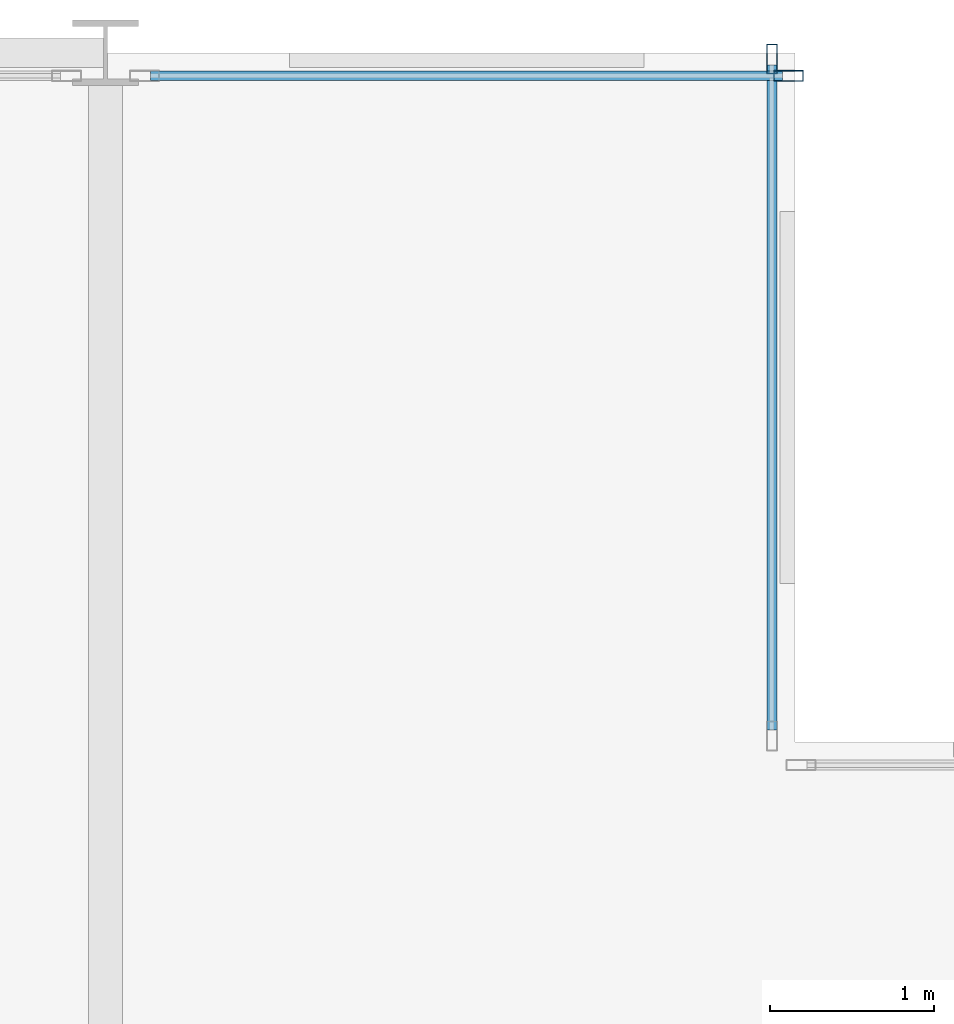
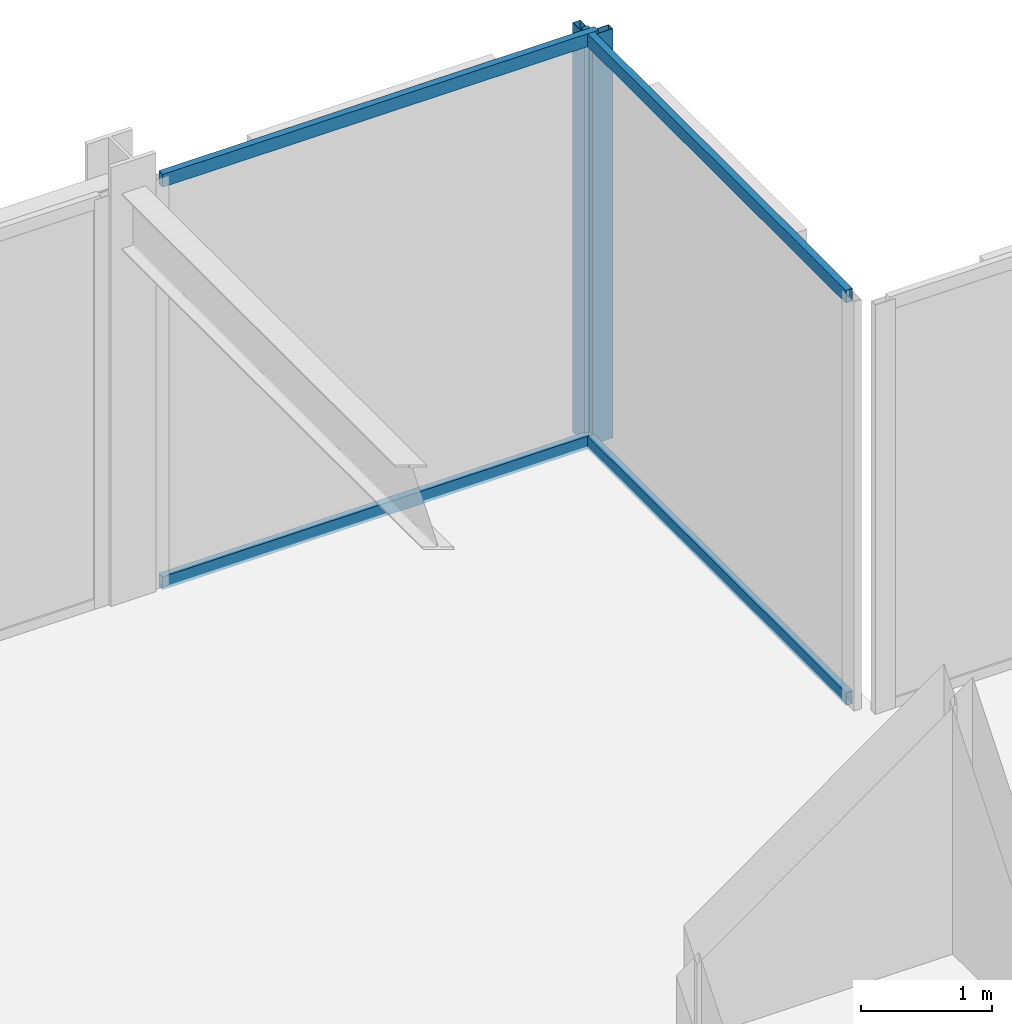
# One storey, part 30 of 38: 6 members, 2 elements without a shape of their own.
"""IFC4 building model written with IfcOpenShell, lengths in metres."""

from ifc_helpers import new_model, si_unit, direction, frame, origin, origin_2d, place, context, subcontext, project, spatial, hollow_rectangle, extrude, material, layer, layer_set, material_profile, profile_set, type_object, element, aggregate, save


model = new_model("IFC4")

# Units and contexts
model_context = context("Model", 3, precision=1e-05, world=origin(), true_north=direction((0.0, 1.0)))
body_context = subcontext(model_context, "Body", "Model", "MODEL_VIEW")
ifc_project = project(units=[si_unit("LENGTHUNIT", "METRE"), si_unit("AREAUNIT", "SQUARE_METRE"), si_unit("VOLUMEUNIT", "CUBIC_METRE"), si_unit("PLANEANGLEUNIT", "RADIAN"), si_unit("MASSUNIT", "GRAM", prefix="KILO")], contexts=[model_context])

# Site, building, storey
site_placement = place(None, origin())
site = spatial("IfcSite", under=ifc_project, at=site_placement, CompositionType="ELEMENT")
building_placement = place(site_placement, origin())
building = spatial("IfcBuilding", under=site, at=building_placement, Name="Nerrivon Quay Data Exchange", CompositionType="ELEMENT")
storey_placement = place(building_placement, frame((0.0, 0.0, 100.800048828125)))
storey = spatial("IfcBuildingStorey", under=building, at=storey_placement, Name="L23", CompositionType="ELEMENT", Elevation=100.800048828125)

# Curtain wall, member
ifc_material = material(Name="Anodised aluminium 6063-T6", Category="aluminium")
ifc_layer = layer(ifc_material, 0.2099609375)
ifc_layer_set = layer_set([ifc_layer], Name="Anodised aluminium 6063-T6")
curtain_wall_type = type_object("IfcCurtainWallType", Name="CW-SYS-02", PredefinedType="NOTDEFINED", material=ifc_layer_set)
curtain_wall_1_placement = place(storey_placement, origin())
curtain_wall_1 = element("IfcCurtainWall", 1, at=curtain_wall_1_placement, inside=storey, type_object=curtain_wall_type, Name="L23 Unitised Curtain Wall 26", PredefinedType="NOTDEFINED")
ifc_material_profile_1 = material_profile(ifc_material, hollow_rectangle(XDim=0.06494140625, YDim=0.179931640625, WallThickness=0.00341796875, at=origin_2d()), Name="ALU-MULL-180x65")
ifc_profile_set_1 = profile_set([ifc_material_profile_1], Name="Anodised aluminium 6063-T6")
member_type_1 = type_object("IfcMemberType", Name="CWM-180x65", PredefinedType="MULLION", material=ifc_profile_set_1)
member_1_placement = place(storey_placement, frame((20.96240234375, 50.260009765625, 0.0), z_axis=(0.0, 0.0, 1.0), x_axis=(0.0, 1.0, 0.0)))
member_1 = element("IfcMember", 2, at=member_1_placement, type_object=member_type_1, Name="CW02 mullion 2", PredefinedType="MULLION", context=body_context, shape_type="SweptSolid", body=[
    extrude(hollow_rectangle(XDim=0.06494140625, YDim=0.179931640625, WallThickness=0.00341796875, at=origin_2d()), origin(), (0.0, 0.0, 1.0), 3.824951171875),
])

curtain_wall_2_placement = place(storey_placement, origin())
curtain_wall_2 = element("IfcCurtainWall", 3, at=curtain_wall_2_placement, inside=storey, type_object=curtain_wall_type, Name="L23 Unitised Curtain Wall 27", PredefinedType="NOTDEFINED")
member_2_placement = place(storey_placement, frame((20.860107421875, 50.362548828125, 0.0), z_axis=(0.0, 0.0, 1.0), x_axis=(1.0, 0.0, 0.0)))
member_2 = element("IfcMember", 4, at=member_2_placement, type_object=member_type_1, Name="CW02 mullion 1", PredefinedType="MULLION", context=body_context, shape_type="SweptSolid", body=[
    extrude(hollow_rectangle(XDim=0.06494140625, YDim=0.179931640625, WallThickness=0.00341796875, at=origin_2d()), origin(), (0.0, 0.0, 1.0), 3.824951171875),
])

# Member
ifc_material_profile_2 = material_profile(ifc_material, hollow_rectangle(XDim=0.06005859375, YDim=0.1201171875, WallThickness=0.003173828125, at=origin_2d()), Name="ALU-TRAN-120x60")
ifc_profile_set_2 = profile_set([ifc_material_profile_2], Name="Anodised aluminium 6063-T6")
member_type_2 = type_object("IfcMemberType", Name="CWT-120x60", PredefinedType="USERDEFINED", material=ifc_profile_set_2)
member_3_placement = place(storey_placement, frame((17.074951171875, 50.260009765625, 0.032470703125), z_axis=(1.0, 0.0, 0.0), x_axis=(0.0, 1.0, 0.0)))
member_3 = element("IfcMember", 5, at=member_3_placement, type_object=member_type_2, Name="CW02 transom 1.1", ObjectType="TRANSOM", PredefinedType="USERDEFINED", context=body_context, shape_type="SweptSolid", body=[
    extrude(hollow_rectangle(XDim=0.06005859375, YDim=0.1201171875, WallThickness=0.003173828125, at=origin_2d()), origin(), (0.0, 0.0, 1.0), 3.85009765625),
])

member_4_placement = place(storey_placement, frame((17.074951171875, 50.260009765625, 3.79248046875), z_axis=(1.0, 0.0, 0.0), x_axis=(0.0, 1.0, 0.0)))
member_4 = element("IfcMember", 6, at=member_4_placement, type_object=member_type_2, Name="CW02 transom 1.2", ObjectType="TRANSOM", PredefinedType="USERDEFINED", context=body_context, shape_type="SweptSolid", body=[
    extrude(hollow_rectangle(XDim=0.06005859375, YDim=0.1201171875, WallThickness=0.003173828125, at=origin_2d()), origin(), (0.0, 0.0, 1.0), 3.85009765625),
])

aggregate(curtain_wall_1, [member_1, member_3, member_4])

member_5_placement = place(storey_placement, frame((20.860107421875, 50.324951171875, 0.032470703125), z_axis=(0.0, -1.0, 0.0), x_axis=(1.0, 0.0, 0.0)))
member_5 = element("IfcMember", 7, at=member_5_placement, type_object=member_type_2, Name="CW02 transom 1.1", ObjectType="TRANSOM", PredefinedType="USERDEFINED", context=body_context, shape_type="SweptSolid", body=[
    extrude(hollow_rectangle(XDim=0.06005859375, YDim=0.1201171875, WallThickness=0.003173828125, at=origin_2d()), origin(), (0.0, 0.0, 1.0), 4.050048828125),
])

member_6_placement = place(storey_placement, frame((20.860107421875, 50.324951171875, 3.79248046875), z_axis=(0.0, -1.0, 0.0), x_axis=(1.0, 0.0, 0.0)))
member_6 = element("IfcMember", 8, at=member_6_placement, type_object=member_type_2, Name="CW02 transom 1.2", ObjectType="TRANSOM", PredefinedType="USERDEFINED", context=body_context, shape_type="SweptSolid", body=[
    extrude(hollow_rectangle(XDim=0.06005859375, YDim=0.1201171875, WallThickness=0.003173828125, at=origin_2d()), origin(), (0.0, 0.0, 1.0), 4.050048828125),
])

aggregate(curtain_wall_2, [member_2, member_5, member_6])

save(model, "model.ifc")
